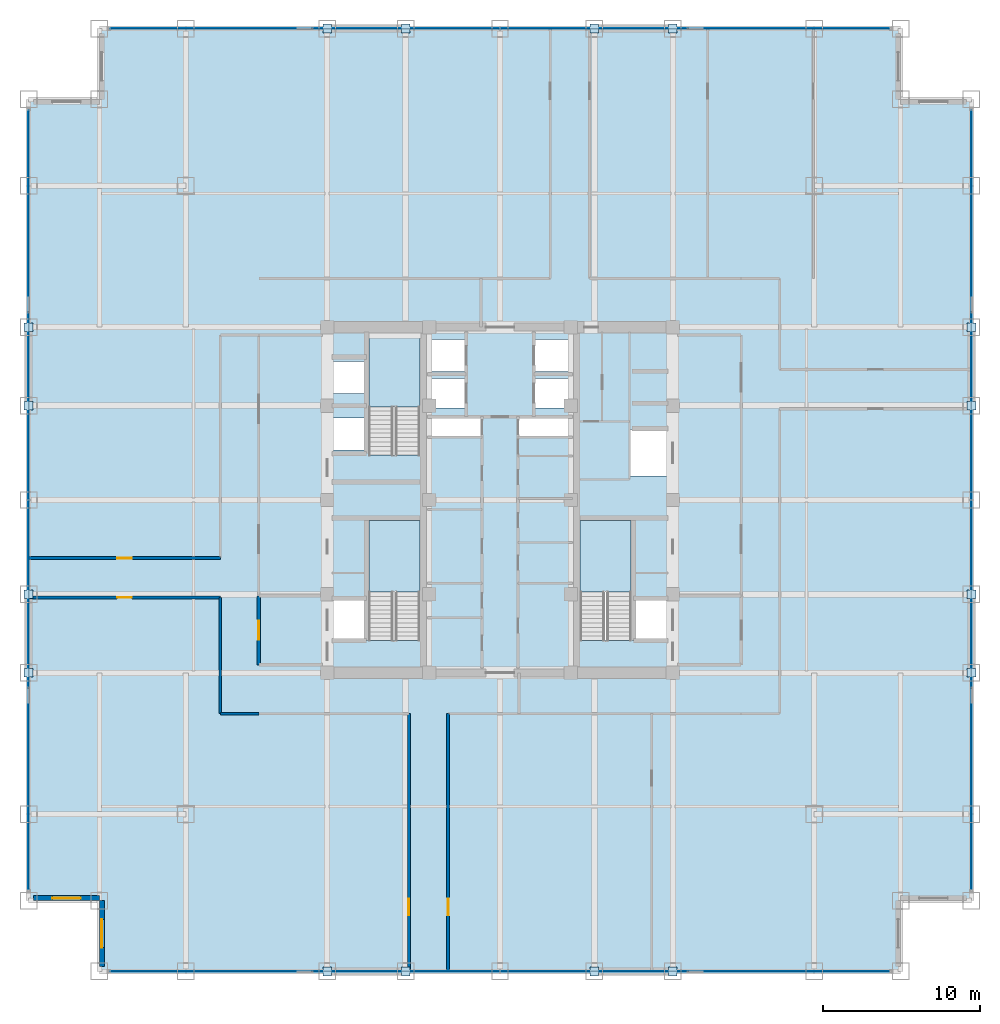
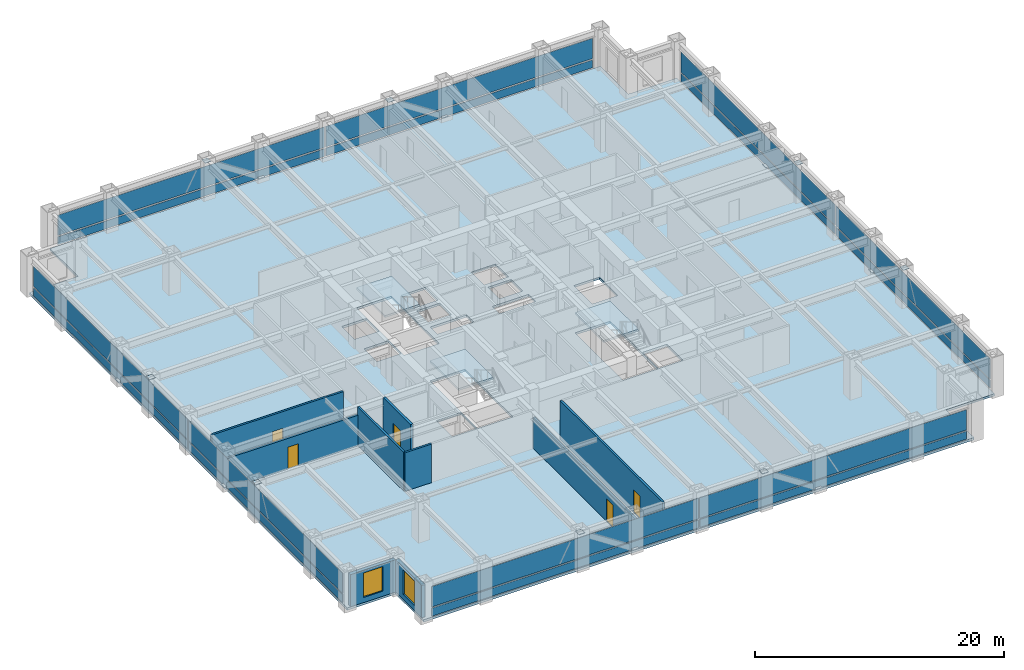
# One storey, part 19 of 24: 32 plates, 9 walls, 5 doors, 4 slabs, 2 windows, 7 openings, 7 elements without a shape of their own.
"""IFC4 building model written with IfcOpenShell, lengths in metres."""

from ifc_helpers import new_model, si_unit, direction, frame, frame_2d, origin, origin_2d, place, context, subcontext, project, spatial, polyline, rectangle, outline, extrude, source, transform, mapped, material, layer, layer_set, type_object, element, fill, aggregate, save


model = new_model("IFC4")

# Units and contexts
model_context = context("Model", 3, precision=1e-05, world=origin(), true_north=direction((0.0, 1.0)))
body_context = subcontext(model_context, "Body", "Model", "MODEL_VIEW")
ifc_project = project(units=[si_unit("LENGTHUNIT", "METRE"), si_unit("AREAUNIT", "SQUARE_METRE"), si_unit("VOLUMEUNIT", "CUBIC_METRE"), si_unit("PLANEANGLEUNIT", "RADIAN"), si_unit("MASSUNIT", "GRAM", prefix="KILO")], contexts=[model_context])

# Site, building, storey
site_placement = place(None, origin())
site = spatial("IfcSite", under=ifc_project, at=site_placement, CompositionType="ELEMENT")
building_placement = place(site_placement, origin())
building = spatial("IfcBuilding", under=site, at=building_placement, Name="Khorayat Bourse Tower", CompositionType="ELEMENT")
storey_placement = place(building_placement, frame((0.0, 0.0, 163.10009765625)))
storey = spatial("IfcBuildingStorey", under=building, at=storey_placement, Name="L37", CompositionType="ELEMENT", Elevation=163.10009765625)

# Stair, slab
ifc_material_1 = material(Name="Concrete C40/50", Category="concrete")
stair_type = type_object("IfcStairType", Name="STR-CORE-1550", PredefinedType="HALF_TURN_STAIR", material=ifc_material_1)
stair_1_placement = place(storey_placement, origin())
stair_1 = element("IfcStair", 1, at=stair_1_placement, inside=storey, type_object=stair_type, Name="L37 Exit Stair ST-1", PredefinedType="HALF_TURN_STAIR")
ifc_layer_1 = layer(ifc_material_1, 0.199951171875)
ifc_layer_set_1 = layer_set([ifc_layer_1], Name="Concrete C40/50")
slab_type_1 = type_object("IfcSlabType", Name="SLB-LANDING-200", PredefinedType="LANDING", material=ifc_layer_set_1)
slab_1_placement = place(storey_placement, frame((0.0, 0.0, 1.7998046875)))
slab_1 = element("IfcSlab", 2, at=slab_1_placement, type_object=slab_type_1, Name="ST-1 landing 1", PredefinedType="LANDING", context=body_context, shape_type="SweptSolid", body=[
    extrude(outline(polyline([(-5.10009765625, -5.8701171875), (-5.10009765625, -1.300048828125), (-8.35009765625, -1.300048828125), (-8.35009765625, -5.8701171875), (-5.10009765625, -5.8701171875)])), origin(), (0.0, 0.0, 1.0), 0.2001953125),
])
aggregate(stair_1, [slab_1])

stair_2_placement = place(storey_placement, origin())
stair_2 = element("IfcStair", 3, at=stair_2_placement, inside=storey, type_object=stair_type, Name="L37 Exit Stair ST-2", PredefinedType="HALF_TURN_STAIR")
slab_2_placement = place(storey_placement, frame((0.0, 0.0, 1.7998046875)))
slab_2 = element("IfcSlab", 4, at=slab_2_placement, type_object=slab_type_1, Name="ST-2 landing 1", PredefinedType="LANDING", context=body_context, shape_type="SweptSolid", body=[
    extrude(outline(polyline([(-5.10009765625, 5.929931640625), (-5.10009765625, 10.5), (-8.35009765625, 10.5), (-8.35009765625, 5.929931640625), (-5.10009765625, 5.929931640625)])), origin(), (0.0, 0.0, 1.0), 0.2001953125),
])
aggregate(stair_2, [slab_2])

stair_3_placement = place(storey_placement, origin())
stair_3 = element("IfcStair", 5, at=stair_3_placement, inside=storey, type_object=stair_type, Name="L37 Exit Stair ST-3", PredefinedType="HALF_TURN_STAIR")
slab_3_placement = place(storey_placement, frame((0.0, 0.0, 1.7998046875)))
slab_3 = element("IfcSlab", 6, at=slab_3_placement, type_object=slab_type_1, Name="ST-3 landing 1", PredefinedType="LANDING", context=body_context, shape_type="SweptSolid", body=[
    extrude(outline(polyline([(8.35009765625, -5.8701171875), (8.35009765625, -1.300048828125), (5.10009765625, -1.300048828125), (5.10009765625, -5.8701171875), (8.35009765625, -5.8701171875)])), origin(), (0.0, 0.0, 1.0), 0.2001953125),
])
aggregate(stair_3, [slab_3])

# Slab
ifc_layer_2 = layer(ifc_material_1, 0.219970703125)
ifc_layer_set_2 = layer_set([ifc_layer_2], Name="Concrete C40/50")
slab_type_2 = type_object("IfcSlabType", Name="SLB-OFFICE-220", PredefinedType="FLOOR", material=ifc_layer_set_2)
slab_4_placement = place(storey_placement, frame((0.0, 0.0, -0.22021484375)))
element("IfcSlab", 7, at=slab_4_placement, inside=storey, type_object=slab_type_2, Name="L37 Main Floor Slab", PredefinedType="FLOOR", context=body_context, shape_type="SweptSolid", body=[
    extrude(outline(polyline([(-25.5, -30.0), (25.5, -30.0), (25.5, -25.5), (30.0, -25.5), (30.0, 25.5), (25.5, 25.5), (25.5, 30.0), (-25.5, 30.0), (-25.5, 25.5), (-30.0, 25.5), (-30.0, -25.5), (-25.5, -25.5), (-25.5, -30.0)]), holes=[polyline([(-8.35009765625, -8.945068359375), (-5.10009765625, -8.945068359375), (-5.10009765625, -1.300048828125), (-8.35009765625, -1.300048828125), (-8.35009765625, -8.945068359375)]), polyline([(-8.35009765625, 2.85498046875), (-5.10009765625, 2.85498046875), (-5.10009765625, 10.5), (-8.35009765625, 10.5), (-8.35009765625, 2.85498046875)]), polyline([(5.10009765625, -8.945068359375), (8.35009765625, -8.945068359375), (8.35009765625, -1.300048828125), (5.10009765625, -1.300048828125), (5.10009765625, -8.945068359375)]), polyline([(-4.3798828125, 8.169921875), (-2.1201171875, 8.169921875), (-2.1201171875, 10.22998046875), (-4.3798828125, 10.22998046875), (-4.3798828125, 8.169921875)]), polyline([(2.1201171875, 8.169921875), (4.3798828125, 8.169921875), (4.3798828125, 10.22998046875), (2.1201171875, 10.22998046875), (2.1201171875, 8.169921875)]), polyline([(-4.3798828125, 5.8701171875), (-2.219970703125, 5.8701171875), (-2.219970703125, 7.72998046875), (-4.3798828125, 7.72998046875), (-4.3798828125, 5.8701171875)]), polyline([(2.219970703125, 5.8701171875), (4.3798828125, 5.8701171875), (4.3798828125, 7.72998046875), (2.219970703125, 7.72998046875), (2.219970703125, 5.8701171875)]), polyline([(-10.679931640625, 3.169921875), (-8.419921875, 3.169921875), (-8.419921875, 5.22998046875), (-10.679931640625, 5.22998046875), (-10.679931640625, 3.169921875)]), polyline([(-10.679931640625, 6.77001953125), (-8.419921875, 6.77001953125), (-8.419921875, 8.830078125), (-10.679931640625, 8.830078125), (-10.679931640625, 6.77001953125)]), polyline([(-10.679931640625, -8.929931640625), (-8.419921875, -8.929931640625), (-8.419921875, -6.3701171875), (-10.679931640625, -6.3701171875), (-10.679931640625, -8.929931640625)]), polyline([(8.419921875, -8.929931640625), (10.679931640625, -8.929931640625), (10.679931640625, -6.3701171875), (8.419921875, -6.3701171875), (8.419921875, -8.929931640625)]), polyline([(8.320068359375, 1.52001953125), (10.679931640625, 1.52001953125), (10.679931640625, 4.47998046875), (8.320068359375, 4.47998046875), (8.320068359375, 1.52001953125)]), polyline([(-4.56005859375, 4.080078125), (-1.18994140625, 4.080078125), (-1.18994140625, 5.219970703125), (-4.56005859375, 5.219970703125), (-4.56005859375, 4.080078125)]), polyline([(1.18994140625, 4.080078125), (4.56005859375, 4.080078125), (4.56005859375, 5.219970703125), (1.18994140625, 5.219970703125), (1.18994140625, 4.080078125)])]), origin(), (0.0, 0.0, 1.0), 0.22021484375),
])

# Plates
ifc_material_2 = material(Name="Steel EN 10025-2 S355J2", Category="steel")
ifc_layer_3 = layer(ifc_material_2, 0.02490234375)
ifc_layer_set_3 = layer_set([ifc_layer_3], Name="Steel EN 10025-2 S355J2")
plate_type_1 = type_object("IfcPlateType", Name="PLT-ENDCAP-25", PredefinedType="SHEET", material=ifc_layer_set_3)
shared_shape_1 = source(origin(), body_context, "Body", "SweptSolid", [
    extrude(rectangle(XDim=0.56005859375, YDim=0.56005859375, at=origin_2d()), origin(), (0.0, 0.0, 1.0), 0.02490234375),
])
for number, where, z_axis, x_axis, name in (
    (8, (-11.0, -30.0, 3.517333984375), (0.0, 0.0, 1.0), (1.0, 0.0, 0.0), "L37 Perimeter Brace End Plate 001"),
    (9, (-6.0, -30.0, 0.237548828125), (0.0, 0.0, 1.0), (1.0, 0.0, 0.0), "L37 Perimeter Brace End Plate 002"),
    (10, (6.0, -30.0, 3.517333984375), (0.0, 0.0, 1.0), (1.0, 0.0, 0.0), "L37 Perimeter Brace End Plate 003"),
    (11, (11.0, -30.0, 0.237548828125), (0.0, 0.0, 1.0), (1.0, 0.0, 0.0), "L37 Perimeter Brace End Plate 004"),
    (12, (-11.0, 30.0, 3.517333984375), (0.0, 0.0, 1.0), (1.0, 0.0, 0.0), "L37 Perimeter Brace End Plate 005"),
    (13, (-6.0, 30.0, 0.237548828125), (0.0, 0.0, 1.0), (1.0, 0.0, 0.0), "L37 Perimeter Brace End Plate 006"),
    (14, (6.0, 30.0, 3.517333984375), (0.0, 0.0, 1.0), (1.0, 0.0, 0.0), "L37 Perimeter Brace End Plate 007"),
    (15, (11.0, 30.0, 0.237548828125), (0.0, 0.0, 1.0), (1.0, 0.0, 0.0), "L37 Perimeter Brace End Plate 008"),
    (16, (-30.0, -11.0, 3.517333984375), (0.0, 0.0, 1.0), (1.0, 0.0, 0.0), "L37 Perimeter Brace End Plate 009"),
    (17, (-30.0, -6.0, 0.237548828125), (0.0, 0.0, 1.0), (1.0, 0.0, 0.0), "L37 Perimeter Brace End Plate 010"),
    (18, (-30.0, 6.0, 3.517333984375), (0.0, 0.0, 1.0), (1.0, 0.0, 0.0), "L37 Perimeter Brace End Plate 011"),
    (19, (-30.0, 11.0, 0.237548828125), (0.0, 0.0, 1.0), (1.0, 0.0, 0.0), "L37 Perimeter Brace End Plate 012"),
    (20, (30.0, -11.0, 3.517333984375), (0.0, 0.0, 1.0), (1.0, 0.0, 0.0), "L37 Perimeter Brace End Plate 013"),
    (21, (30.0, -6.0, 0.237548828125), (0.0, 0.0, 1.0), (1.0, 0.0, 0.0), "L37 Perimeter Brace End Plate 014"),
    (22, (30.0, 6.0, 3.517333984375), (0.0, 0.0, 1.0), (1.0, 0.0, 0.0), "L37 Perimeter Brace End Plate 015"),
    (23, (30.0, 11.0, 0.237548828125), (0.0, 0.0, 1.0), (1.0, 0.0, 0.0), "L37 Perimeter Brace End Plate 016"),
):
    element("IfcPlate", number, at=place(storey_placement, frame(where, z_axis=z_axis, x_axis=x_axis)), inside=storey, type_object=plate_type_1, Name=name, PredefinedType="SHEET", context=body_context, shape_type="MappedRepresentation", body=[
        mapped(shared_shape_1, transform((0.0, 0.0, 0.0), scale=1.0)),
    ])

# Curtain wall, plates
ifc_material_3 = material(Name="Aluminium EN AW-6063 T6", Category="aluminium")
curtain_wall_type = type_object("IfcCurtainWallType", Name="CW-SYS-03", PredefinedType="NOTDEFINED", material=ifc_material_3)
curtain_wall_1_placement = place(storey_placement, origin())
curtain_wall_1 = element("IfcCurtainWall", 24, at=curtain_wall_1_placement, inside=storey, type_object=curtain_wall_type, Name="L37 Curtain Wall CW-L37-S1", PredefinedType="NOTDEFINED")
ifc_material_4 = material(Name="Honed desert limestone insulated spandrel", Category="masonry")
ifc_layer_4 = layer(ifc_material_4, 0.06494140625)
ifc_layer_set_4 = layer_set([ifc_layer_4], Name="Honed desert limestone insulated spandrel")
plate_type_2 = type_object("IfcPlateType", Name="CWP-SPAND-03", PredefinedType="CURTAIN_PANEL", material=ifc_layer_set_4)
shared_shape_2 = source(origin(), body_context, "Body", "SweptSolid", [
    extrude(rectangle(XDim=24.719970703125, YDim=0.06494140625, at=origin_2d()), origin(), (0.0, 0.0, 1.0), 0.77001953125),
])
plate_1_placement = place(storey_placement, frame((-12.419921875, -30.0, 0.119873046875), z_axis=(0.0, 0.0, 1.0), x_axis=(1.0, 0.0, 0.0)))
plate_1 = element("IfcPlate", 25, at=plate_1_placement, type_object=plate_type_2, Name="CW-L37-S1 Spandrel Panel 1-1", PredefinedType="CURTAIN_PANEL", context=body_context, shape_type="MappedRepresentation", body=[
    mapped(shared_shape_2, transform((0.0, 0.0, 0.0), scale=1.0)),
])
plate_2_placement = place(storey_placement, frame((12.419921875, -30.0, 0.119873046875), z_axis=(0.0, 0.0, 1.0), x_axis=(1.0, 0.0, 0.0)))
plate_2 = element("IfcPlate", 26, at=plate_2_placement, type_object=plate_type_2, Name="CW-L37-S1 Spandrel Panel 2-1", PredefinedType="CURTAIN_PANEL", context=body_context, shape_type="MappedRepresentation", body=[
    mapped(shared_shape_2, transform((0.0, 0.0, 0.0), scale=1.0)),
])

curtain_wall_2_placement = place(storey_placement, origin())
curtain_wall_2 = element("IfcCurtainWall", 27, at=curtain_wall_2_placement, inside=storey, type_object=curtain_wall_type, Name="L37 Curtain Wall CW-L37-N1", PredefinedType="NOTDEFINED")
plate_3_placement = place(storey_placement, frame((-12.419921875, 30.0, 0.119873046875), z_axis=(0.0, 0.0, 1.0), x_axis=(1.0, 0.0, 0.0)))
plate_3 = element("IfcPlate", 28, at=plate_3_placement, type_object=plate_type_2, Name="CW-L37-N1 Spandrel Panel 1-1", PredefinedType="CURTAIN_PANEL", context=body_context, shape_type="MappedRepresentation", body=[
    mapped(shared_shape_2, transform((0.0, 0.0, 0.0), scale=1.0)),
])
plate_4_placement = place(storey_placement, frame((12.419921875, 30.0, 0.119873046875), z_axis=(0.0, 0.0, 1.0), x_axis=(1.0, 0.0, 0.0)))
plate_4 = element("IfcPlate", 29, at=plate_4_placement, type_object=plate_type_2, Name="CW-L37-N1 Spandrel Panel 2-1", PredefinedType="CURTAIN_PANEL", context=body_context, shape_type="MappedRepresentation", body=[
    mapped(shared_shape_2, transform((0.0, 0.0, 0.0), scale=1.0)),
])

curtain_wall_3_placement = place(storey_placement, origin())
curtain_wall_3 = element("IfcCurtainWall", 30, at=curtain_wall_3_placement, inside=storey, type_object=curtain_wall_type, Name="L37 Curtain Wall CW-L37-W1", PredefinedType="NOTDEFINED")
plate_5_placement = place(storey_placement, frame((-30.0, -12.419921875, 0.119873046875), z_axis=(0.0, 0.0, 1.0), x_axis=(0.0, 1.0, 0.0)))
plate_5 = element("IfcPlate", 31, at=plate_5_placement, type_object=plate_type_2, Name="CW-L37-W1 Spandrel Panel 1-1", PredefinedType="CURTAIN_PANEL", context=body_context, shape_type="MappedRepresentation", body=[
    mapped(shared_shape_2, transform((0.0, 0.0, 0.0), scale=1.0)),
])
plate_6_placement = place(storey_placement, frame((-30.0, 12.419921875, 0.119873046875), z_axis=(0.0, 0.0, 1.0), x_axis=(0.0, 1.0, 0.0)))
plate_6 = element("IfcPlate", 32, at=plate_6_placement, type_object=plate_type_2, Name="CW-L37-W1 Spandrel Panel 2-1", PredefinedType="CURTAIN_PANEL", context=body_context, shape_type="MappedRepresentation", body=[
    mapped(shared_shape_2, transform((0.0, 0.0, 0.0), scale=1.0)),
])

curtain_wall_4_placement = place(storey_placement, origin())
curtain_wall_4 = element("IfcCurtainWall", 33, at=curtain_wall_4_placement, inside=storey, type_object=curtain_wall_type, Name="L37 Curtain Wall CW-L37-E1", PredefinedType="NOTDEFINED")
plate_7_placement = place(storey_placement, frame((30.0, -12.419921875, 0.119873046875), z_axis=(0.0, 0.0, 1.0), x_axis=(0.0, 1.0, 0.0)))
plate_7 = element("IfcPlate", 34, at=plate_7_placement, type_object=plate_type_2, Name="CW-L37-E1 Spandrel Panel 1-1", PredefinedType="CURTAIN_PANEL", context=body_context, shape_type="MappedRepresentation", body=[
    mapped(shared_shape_2, transform((0.0, 0.0, 0.0), scale=1.0)),
])
plate_8_placement = place(storey_placement, frame((30.0, 12.419921875, 0.119873046875), z_axis=(0.0, 0.0, 1.0), x_axis=(0.0, 1.0, 0.0)))
plate_8 = element("IfcPlate", 35, at=plate_8_placement, type_object=plate_type_2, Name="CW-L37-E1 Spandrel Panel 2-1", PredefinedType="CURTAIN_PANEL", context=body_context, shape_type="MappedRepresentation", body=[
    mapped(shared_shape_2, transform((0.0, 0.0, 0.0), scale=1.0)),
])

# Plate
ifc_material_5 = material(Name="Low-E solar-control laminated double glazing", Category="glass")
ifc_layer_5 = layer(ifc_material_5, 0.035888671875)
ifc_layer_set_5 = layer_set([ifc_layer_5], Name="Low-E solar-control laminated double glazing")
plate_type_3 = type_object("IfcPlateType", Name="CWP-VIS-01", PredefinedType="CURTAIN_PANEL", material=ifc_layer_set_5)
shared_shape_3 = source(origin(), body_context, "Body", "SweptSolid", [
    extrude(rectangle(XDim=24.719970703125, YDim=0.035888671875, at=origin_2d()), origin(), (0.0, 0.0, 1.0), 2.0),
])
plate_9_placement = place(storey_placement, frame((-12.419921875, -30.0, 1.010009765625), z_axis=(0.0, 0.0, 1.0), x_axis=(1.0, 0.0, 0.0)))
plate_9 = element("IfcPlate", 36, at=plate_9_placement, type_object=plate_type_3, Name="CW-L37-S1 Vision Panel 1-2", PredefinedType="CURTAIN_PANEL", context=body_context, shape_type="MappedRepresentation", body=[
    mapped(shared_shape_3, transform((0.0, 0.0, 0.0), scale=1.0)),
])

plate_10_placement = place(storey_placement, frame((12.419921875, -30.0, 1.010009765625), z_axis=(0.0, 0.0, 1.0), x_axis=(1.0, 0.0, 0.0)))
plate_10 = element("IfcPlate", 37, at=plate_10_placement, type_object=plate_type_3, Name="CW-L37-S1 Vision Panel 2-2", PredefinedType="CURTAIN_PANEL", context=body_context, shape_type="MappedRepresentation", body=[
    mapped(shared_shape_3, transform((0.0, 0.0, 0.0), scale=1.0)),
])

aggregate(curtain_wall_1, [plate_1, plate_9, plate_2, plate_10])

plate_11_placement = place(storey_placement, frame((-12.419921875, 30.0, 1.010009765625), z_axis=(0.0, 0.0, 1.0), x_axis=(1.0, 0.0, 0.0)))
plate_11 = element("IfcPlate", 38, at=plate_11_placement, type_object=plate_type_3, Name="CW-L37-N1 Vision Panel 1-2", PredefinedType="CURTAIN_PANEL", context=body_context, shape_type="MappedRepresentation", body=[
    mapped(shared_shape_3, transform((0.0, 0.0, 0.0), scale=1.0)),
])

plate_12_placement = place(storey_placement, frame((12.419921875, 30.0, 1.010009765625), z_axis=(0.0, 0.0, 1.0), x_axis=(1.0, 0.0, 0.0)))
plate_12 = element("IfcPlate", 39, at=plate_12_placement, type_object=plate_type_3, Name="CW-L37-N1 Vision Panel 2-2", PredefinedType="CURTAIN_PANEL", context=body_context, shape_type="MappedRepresentation", body=[
    mapped(shared_shape_3, transform((0.0, 0.0, 0.0), scale=1.0)),
])

aggregate(curtain_wall_2, [plate_3, plate_11, plate_4, plate_12])

plate_13_placement = place(storey_placement, frame((-30.0, -12.419921875, 1.010009765625), z_axis=(0.0, 0.0, 1.0), x_axis=(0.0, 1.0, 0.0)))
plate_13 = element("IfcPlate", 40, at=plate_13_placement, type_object=plate_type_3, Name="CW-L37-W1 Vision Panel 1-2", PredefinedType="CURTAIN_PANEL", context=body_context, shape_type="MappedRepresentation", body=[
    mapped(shared_shape_3, transform((0.0, 0.0, 0.0), scale=1.0)),
])

plate_14_placement = place(storey_placement, frame((-30.0, 12.419921875, 1.010009765625), z_axis=(0.0, 0.0, 1.0), x_axis=(0.0, 1.0, 0.0)))
plate_14 = element("IfcPlate", 41, at=plate_14_placement, type_object=plate_type_3, Name="CW-L37-W1 Vision Panel 2-2", PredefinedType="CURTAIN_PANEL", context=body_context, shape_type="MappedRepresentation", body=[
    mapped(shared_shape_3, transform((0.0, 0.0, 0.0), scale=1.0)),
])

aggregate(curtain_wall_3, [plate_5, plate_13, plate_6, plate_14])

plate_15_placement = place(storey_placement, frame((30.0, -12.419921875, 1.010009765625), z_axis=(0.0, 0.0, 1.0), x_axis=(0.0, 1.0, 0.0)))
plate_15 = element("IfcPlate", 42, at=plate_15_placement, type_object=plate_type_3, Name="CW-L37-E1 Vision Panel 1-2", PredefinedType="CURTAIN_PANEL", context=body_context, shape_type="MappedRepresentation", body=[
    mapped(shared_shape_3, transform((0.0, 0.0, 0.0), scale=1.0)),
])

plate_16_placement = place(storey_placement, frame((30.0, 12.419921875, 1.010009765625), z_axis=(0.0, 0.0, 1.0), x_axis=(0.0, 1.0, 0.0)))
plate_16 = element("IfcPlate", 43, at=plate_16_placement, type_object=plate_type_3, Name="CW-L37-E1 Vision Panel 2-2", PredefinedType="CURTAIN_PANEL", context=body_context, shape_type="MappedRepresentation", body=[
    mapped(shared_shape_3, transform((0.0, 0.0, 0.0), scale=1.0)),
])

aggregate(curtain_wall_4, [plate_7, plate_15, plate_8, plate_16])

# Wall, opening, window
ifc_material_6 = material(Name="Precast concrete C45/55", Category="concrete")
ifc_layer_6 = layer(ifc_material_6, 0.320068359375)
ifc_layer_set_6 = layer_set([ifc_layer_6], Name="Precast concrete C45/55")
wall_type_1 = type_object("IfcWallType", Name="WAL-EXT-STONE-320", PredefinedType="STANDARD", material=ifc_layer_set_6)
shared_shape_4 = source(origin(), body_context, "Body", "SweptSolid", [
    extrude(rectangle(XDim=4.179931640625, YDim=0.320068359375, at=frame_2d((2.08984375, 0.0))), origin(), (0.0, 0.0, 1.0), 3.163818359375),
])
wall_1_placement = place(storey_placement, frame((-25.5, -25.340087890625, 0.0), z_axis=(0.0, 0.0, 1.0), x_axis=(-1.0, 0.0, 0.0)))
wall_1 = element("IfcWall", 44, at=wall_1_placement, inside=storey, type_object=wall_type_1, Name="L37 Re-Entrant Notch Limestone Wall SW-H", PredefinedType="STANDARD", context=body_context, shape_type="MappedRepresentation", body=[
    mapped(shared_shape_4, transform((0.0, 0.0, 0.0), scale=1.0)),
])
shared_shape_5 = source(origin(), body_context, "Body", "SweptSolid", [
    extrude(rectangle(XDim=1.800048828125, YDim=2.39990234375, at=frame_2d((0.89990234375, 1.199951171875))), frame((0.0, 0.169921875, 0.0), z_axis=(0.0, -1.0, 0.0), x_axis=(1.0, 0.0, 0.0)), (0.0, 0.0, 1.0), 0.340087890625),
])
opening_1_placement = place(wall_1_placement, frame((1.18994140625, 0.0, 0.5)))
opening_1 = element("IfcOpeningElement", 45, at=opening_1_placement, cuts=wall_1, Name="Opening WN-04", PredefinedType="OPENING", context=body_context, shape_type="MappedRepresentation", body=[
    mapped(shared_shape_5, transform((0.0, 0.0, 0.0), scale=1.0)),
])
ifc_material_7 = material(Name="Low-E acoustic laminated double glazing", Category="glass")
window_type = type_object("IfcWindowType", Name="WIN-NOTCH-1800x2400", PartitioningType="SINGLE_PANEL", PredefinedType="WINDOW", material=ifc_material_7)
shared_shape_6 = source(origin(), body_context, "Body", "SweptSolid", [
    extrude(rectangle(XDim=1.800048828125, YDim=2.39990234375, at=frame_2d((0.89990234375, 1.199951171875))), frame((0.0, 0.030029296875, 0.0), z_axis=(0.0, -1.0, 0.0), x_axis=(1.0, 0.0, 0.0)), (0.0, 0.0, 1.0), 0.06005859375),
])
window_1_placement = place(opening_1_placement, origin())
window_1 = element("IfcWindow", 46, at=window_1_placement, inside=storey, type_object=window_type, Name="L37 Facade Window 1", OverallHeight=2.39990234375, OverallWidth=1.800048828125, PartitioningType="SINGLE_PANEL", PredefinedType="WINDOW", context=body_context, shape_type="MappedRepresentation", body=[
    mapped(shared_shape_6, transform((0.0, 0.0, 0.0), scale=1.0)),
])
fill(opening_1, window_1)

wall_2_placement = place(storey_placement, frame((-25.340087890625, -29.679931640625, 0.0), z_axis=(0.0, 0.0, 1.0), x_axis=(0.0, 1.0, 0.0)))
wall_2 = element("IfcWall", 47, at=wall_2_placement, inside=storey, type_object=wall_type_1, Name="L37 Re-Entrant Notch Limestone Wall SW-V", PredefinedType="STANDARD", context=body_context, shape_type="MappedRepresentation", body=[
    mapped(shared_shape_4, transform((0.0, 0.0, 0.0), scale=1.0)),
])
opening_2_placement = place(wall_2_placement, frame((1.18994140625, 0.0, 0.5)))
opening_2 = element("IfcOpeningElement", 48, at=opening_2_placement, cuts=wall_2, Name="Opening WN-04", PredefinedType="OPENING", context=body_context, shape_type="MappedRepresentation", body=[
    mapped(shared_shape_5, transform((0.0, 0.0, 0.0), scale=1.0)),
])
window_2_placement = place(opening_2_placement, origin())
window_2 = element("IfcWindow", 49, at=window_2_placement, inside=storey, type_object=window_type, Name="L37 Facade Window 1", OverallHeight=2.39990234375, OverallWidth=1.800048828125, PartitioningType="SINGLE_PANEL", PredefinedType="WINDOW", context=body_context, shape_type="MappedRepresentation", body=[
    mapped(shared_shape_6, transform((0.0, 0.0, 0.0), scale=1.0)),
])
fill(opening_2, window_2)

# Wall, opening, door
ifc_material_8 = material(Name="Aerated concrete blockwork", Category="masonry")
ifc_layer_7 = layer(ifc_material_8, 0.219970703125)
ifc_layer_set_7 = layer_set([ifc_layer_7], Name="Aerated concrete blockwork")
wall_type_2 = type_object("IfcWallType", Name="WAL-PART-FF-220", PredefinedType="PARTITIONING", material=ifc_layer_set_7)
shared_shape_7 = source(origin(), body_context, "Body", "SweptSolid", [
    extrude(rectangle(XDim=4.39990234375, YDim=0.219970703125, at=frame_2d((2.199951171875, 0.0))), origin(), (0.0, 0.0, 1.0), 3.77978515625),
])
wall_3_placement = place(storey_placement, frame((-15.35009765625, -10.5, 0.0), z_axis=(0.0, 0.0, 1.0), x_axis=(0.0, 1.0, 0.0)))
wall_3 = element("IfcWall", 50, at=wall_3_placement, inside=storey, type_object=wall_type_2, Name="L37 Partition WAL-L37-FFLW-W", PredefinedType="PARTITIONING", context=body_context, shape_type="MappedRepresentation", body=[
    mapped(shared_shape_7, transform((0.0, 0.0, 0.0), scale=1.0)),
])
shared_shape_8 = source(origin(), body_context, "Body", "SweptSolid", [
    extrude(rectangle(XDim=1.199951171875, YDim=2.199951171875, at=frame_2d((0.60009765625, 1.10009765625))), frame((0.0, 0.119873046875, 0.0), z_axis=(0.0, -1.0, 0.0), x_axis=(1.0, 0.0, 0.0)), (0.0, 0.0, 1.0), 0.239990234375),
])
opening_3_placement = place(wall_3_placement, frame((1.60009765625, 0.0, 0.0)))
opening_3 = element("IfcOpeningElement", 51, at=opening_3_placement, cuts=wall_3, Name="Opening DI-02", PredefinedType="OPENING", context=body_context, shape_type="MappedRepresentation", body=[
    mapped(shared_shape_8, transform((0.0, 0.0, 0.0), scale=1.0)),
])
ifc_material_9 = material(Name="Fire-rated steel double-seal leaf", Category="steel")
door_type_1 = type_object("IfcDoorType", Name="DR-INT-FFLOBBY-1200", OperationType="NOTDEFINED", PredefinedType="DOOR", material=ifc_material_9)
shared_shape_9 = source(origin(), body_context, "Body", "SweptSolid", [
    extrude(rectangle(XDim=1.199951171875, YDim=2.199951171875, at=frame_2d((0.60009765625, 1.10009765625))), frame((0.0, 0.02490234375, 0.0), z_axis=(0.0, -1.0, 0.0), x_axis=(1.0, 0.0, 0.0)), (0.0, 0.0, 1.0), 0.050048828125),
])
door_1_placement = place(opening_3_placement, origin())
door_1 = element("IfcDoor", 52, at=door_1_placement, inside=storey, type_object=door_type_1, Name="L37 West Firefighting Lobby Door", OperationType="SINGLE_SWING_LEFT", OverallHeight=2.199951171875, OverallWidth=1.199951171875, PredefinedType="DOOR", context=body_context, shape_type="MappedRepresentation", body=[
    mapped(shared_shape_9, transform((0.0, 0.0, 0.0), scale=1.0)),
])
fill(opening_3, door_1)

# Wall
ifc_material_10 = material(Name="Gypsum plasterboard acoustic stud wall")
ifc_layer_8 = layer(ifc_material_10, 0.179931640625)
ifc_layer_set_8 = layer_set([ifc_layer_8], Name="Gypsum plasterboard acoustic stud wall")
wall_type_3 = type_object("IfcWallType", Name="WAL-PART-CORR-180", PredefinedType="PARTITIONING", material=ifc_layer_set_8)
shared_shape_10 = source(origin(), body_context, "Body", "SweptSolid", [
    extrude(rectangle(XDim=2.449951171875, YDim=0.179931640625, at=frame_2d((1.22509765625, 0.0))), origin(), (0.0, 0.0, 1.0), 3.77978515625),
])
wall_4_placement = place(storey_placement, frame((-17.800048828125, -13.60009765625, 0.0), z_axis=(0.0, 0.0, 1.0), x_axis=(1.0, 0.0, 0.0)))
element("IfcWall", 53, at=wall_4_placement, inside=storey, type_object=wall_type_3, Name="L37 Partition WAL-L37-C2-WS", PredefinedType="PARTITIONING", context=body_context, shape_type="MappedRepresentation", body=[
    mapped(shared_shape_10, transform((0.0, 0.0, 0.0), scale=1.0)),
])

# Wall, opening, door
shared_shape_11 = source(origin(), body_context, "Body", "SweptSolid", [
    extrude(rectangle(XDim=12.199951171875, YDim=0.179931640625, at=frame_2d((6.10009765625, 0.0))), origin(), (0.0, 0.0, 1.0), 3.77978515625),
])
wall_5_placement = place(storey_placement, frame((-30.0, -3.699951171875, 0.0), z_axis=(0.0, 0.0, 1.0), x_axis=(1.0, 0.0, 0.0)))
wall_5 = element("IfcWall", 54, at=wall_5_placement, inside=storey, type_object=wall_type_3, Name="L37 Partition WAL-L37-WN-SPK", PredefinedType="PARTITIONING", context=body_context, shape_type="MappedRepresentation", body=[
    mapped(shared_shape_11, transform((0.0, 0.0, 0.0), scale=1.0)),
])
shared_shape_12 = source(origin(), body_context, "Body", "SweptSolid", [
    extrude(rectangle(XDim=0.949951171875, YDim=2.14990234375, at=frame_2d((0.47509765625, 1.074951171875))), frame((0.0, 0.099853515625, 0.0), z_axis=(0.0, -1.0, 0.0), x_axis=(1.0, 0.0, 0.0)), (0.0, 0.0, 1.0), 0.199951171875),
])
opening_4_placement = place(wall_5_placement, frame((5.625, 0.0, 0.0)))
opening_4 = element("IfcOpeningElement", 55, at=opening_4_placement, cuts=wall_5, Name="Opening DI-05", PredefinedType="OPENING", context=body_context, shape_type="MappedRepresentation", body=[
    mapped(shared_shape_12, transform((0.0, 0.0, 0.0), scale=1.0)),
])
ifc_material_11 = material(Name="Acoustic oak veneer office door")
door_type_2 = type_object("IfcDoorType", Name="DR-INT-OFFICE-950", OperationType="NOTDEFINED", PredefinedType="DOOR", material=ifc_material_11)
shared_shape_13 = source(origin(), body_context, "Body", "SweptSolid", [
    extrude(rectangle(XDim=0.949951171875, YDim=2.14990234375, at=frame_2d((0.47509765625, 1.074951171875))), frame((0.0, 0.02490234375, 0.0), z_axis=(0.0, -1.0, 0.0), x_axis=(1.0, 0.0, 0.0)), (0.0, 0.0, 1.0), 0.050048828125),
])
door_2_placement = place(opening_4_placement, origin())
door_2 = element("IfcDoor", 56, at=door_2_placement, inside=storey, type_object=door_type_2, Name="L37 Members Exchange Lounge WN Door", OperationType="SINGLE_SWING_LEFT", OverallHeight=2.14990234375, OverallWidth=0.949951171875, PredefinedType="DOOR", context=body_context, shape_type="MappedRepresentation", body=[
    mapped(shared_shape_13, transform((0.0, 0.0, 0.0), scale=1.0)),
])
fill(opening_4, door_2)

shared_shape_14 = source(origin(), body_context, "Body", "SweptSolid", [
    extrude(rectangle(XDim=12.199951171875, YDim=0.179931640625, at=frame_2d((6.10009765625, 0.0))), origin(), (0.0, 0.0, 1.0), 3.0068359375),
])
wall_6_placement = place(storey_placement, frame((-30.0, -6.199951171875, 0.0), z_axis=(0.0, 0.0, 1.0), x_axis=(1.0, 0.0, 0.0)))
wall_6 = element("IfcWall", 57, at=wall_6_placement, inside=storey, type_object=wall_type_3, Name="L37 Partition WAL-L37-WS-SPK", PredefinedType="PARTITIONING", context=body_context, shape_type="MappedRepresentation", body=[
    mapped(shared_shape_14, transform((0.0, 0.0, 0.0), scale=1.0)),
])
opening_5_placement = place(wall_6_placement, frame((5.625, 0.0, 0.0)))
opening_5 = element("IfcOpeningElement", 58, at=opening_5_placement, cuts=wall_6, Name="Opening DI-05", PredefinedType="OPENING", context=body_context, shape_type="MappedRepresentation", body=[
    mapped(shared_shape_12, transform((0.0, 0.0, 0.0), scale=1.0)),
])
door_3_placement = place(opening_5_placement, origin())
door_3 = element("IfcDoor", 59, at=door_3_placement, inside=storey, type_object=door_type_2, Name="L37 Clearing Records Archive Store WS Door", OperationType="SINGLE_SWING_LEFT", OverallHeight=2.14990234375, OverallWidth=0.949951171875, PredefinedType="DOOR", context=body_context, shape_type="MappedRepresentation", body=[
    mapped(shared_shape_13, transform((0.0, 0.0, 0.0), scale=1.0)),
])
fill(opening_5, door_3)

shared_shape_15 = source(origin(), body_context, "Body", "SweptSolid", [
    extrude(rectangle(XDim=16.39990234375, YDim=0.179931640625, at=frame_2d((8.199951171875, 0.0))), origin(), (0.0, 0.0, 1.0), 3.0068359375),
])
wall_7_placement = place(storey_placement, frame((-5.800048828125, -30.0, 0.0), z_axis=(0.0, 0.0, 1.0), x_axis=(0.0, 1.0, 0.0)))
wall_7 = element("IfcWall", 60, at=wall_7_placement, inside=storey, type_object=wall_type_3, Name="L37 Partition WAL-L37-QSW-SPK", PredefinedType="PARTITIONING", context=body_context, shape_type="MappedRepresentation", body=[
    mapped(shared_shape_15, transform((0.0, 0.0, 0.0), scale=1.0)),
])
shared_shape_16 = source(origin(), body_context, "Body", "SweptSolid", [
    extrude(rectangle(XDim=1.050048828125, YDim=2.199951171875, at=frame_2d((0.52490234375, 1.10009765625))), frame((0.0, 0.099853515625, 0.0), z_axis=(0.0, -1.0, 0.0), x_axis=(1.0, 0.0, 0.0)), (0.0, 0.0, 1.0), 0.199951171875),
])
opening_6_placement = place(wall_7_placement, frame((3.574951171875, 0.0, 0.0)))
opening_6 = element("IfcOpeningElement", 61, at=opening_6_placement, cuts=wall_7, Name="Opening DI-04", PredefinedType="OPENING", context=body_context, shape_type="MappedRepresentation", body=[
    mapped(shared_shape_16, transform((0.0, 0.0, 0.0), scale=1.0)),
])
ifc_material_12 = material(Name="Fire-rated oak veneer suite entrance door")
door_type_3 = type_object("IfcDoorType", Name="DR-INT-SUITE-1050", OperationType="NOTDEFINED", PredefinedType="DOOR", material=ifc_material_12)
shared_shape_17 = source(origin(), body_context, "Body", "SweptSolid", [
    extrude(rectangle(XDim=1.050048828125, YDim=2.199951171875, at=frame_2d((0.52490234375, 1.10009765625))), frame((0.0, 0.02490234375, 0.0), z_axis=(0.0, -1.0, 0.0), x_axis=(1.0, 0.0, 0.0)), (0.0, 0.0, 1.0), 0.050048828125),
])
door_4_placement = place(opening_6_placement, origin())
door_4 = element("IfcDoor", 62, at=door_4_placement, inside=storey, type_object=door_type_3, Name="L37 South-West Radial Spoke Entry", OperationType="SINGLE_SWING_LEFT", OverallHeight=2.199951171875, OverallWidth=1.050048828125, PredefinedType="DOOR", context=body_context, shape_type="MappedRepresentation", body=[
    mapped(shared_shape_17, transform((0.0, 0.0, 0.0), scale=1.0)),
])
fill(opening_6, door_4)

shared_shape_18 = source(origin(), body_context, "Body", "SweptSolid", [
    extrude(rectangle(XDim=16.39990234375, YDim=0.179931640625, at=frame_2d((8.199951171875, 0.0))), origin(), (0.0, 0.0, 1.0), 3.77978515625),
])
wall_8_placement = place(storey_placement, frame((-3.300048828125, -30.0, 0.0), z_axis=(0.0, 0.0, 1.0), x_axis=(0.0, 1.0, 0.0)))
wall_8 = element("IfcWall", 63, at=wall_8_placement, inside=storey, type_object=wall_type_3, Name="L37 Partition WAL-L37-QSE-SPK", PredefinedType="PARTITIONING", context=body_context, shape_type="MappedRepresentation", body=[
    mapped(shared_shape_18, transform((0.0, 0.0, 0.0), scale=1.0)),
])
opening_7_placement = place(wall_8_placement, frame((3.574951171875, 0.0, 0.0)))
opening_7 = element("IfcOpeningElement", 64, at=opening_7_placement, cuts=wall_8, Name="Opening DI-04", PredefinedType="OPENING", context=body_context, shape_type="MappedRepresentation", body=[
    mapped(shared_shape_16, transform((0.0, 0.0, 0.0), scale=1.0)),
])
door_5_placement = place(opening_7_placement, origin())
door_5 = element("IfcDoor", 65, at=door_5_placement, inside=storey, type_object=door_type_3, Name="L37 South-East Radial Spoke Entry", OperationType="SINGLE_SWING_LEFT", OverallHeight=2.199951171875, OverallWidth=1.050048828125, PredefinedType="DOOR", context=body_context, shape_type="MappedRepresentation", body=[
    mapped(shared_shape_17, transform((0.0, 0.0, 0.0), scale=1.0)),
])
fill(opening_7, door_5)

# Wall
shared_shape_19 = source(origin(), body_context, "Body", "SweptSolid", [
    extrude(rectangle(XDim=7.400146484375, YDim=0.179931640625, at=frame_2d((3.7001953125, 0.0))), origin(), (0.0, 0.0, 1.0), 3.77978515625),
])
wall_9_placement = place(storey_placement, frame((-17.800048828125, -13.60009765625, 0.0), z_axis=(0.0, 0.0, 1.0), x_axis=(0.0, 1.0, 0.0)))
element("IfcWall", 66, at=wall_9_placement, inside=storey, type_object=wall_type_3, Name="L37 Partition WAL-L37-WS-IN", PredefinedType="PARTITIONING", context=body_context, shape_type="MappedRepresentation", body=[
    mapped(shared_shape_19, transform((0.0, 0.0, 0.0), scale=1.0)),
])

save(model, "model.ifc")
